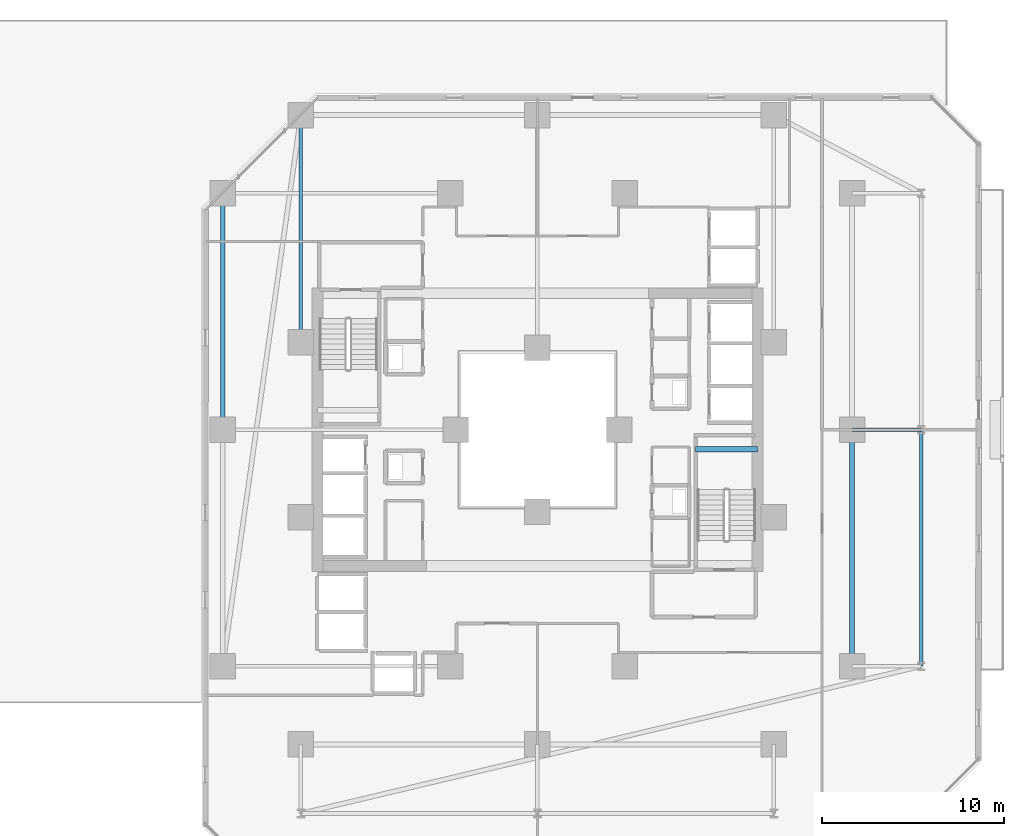
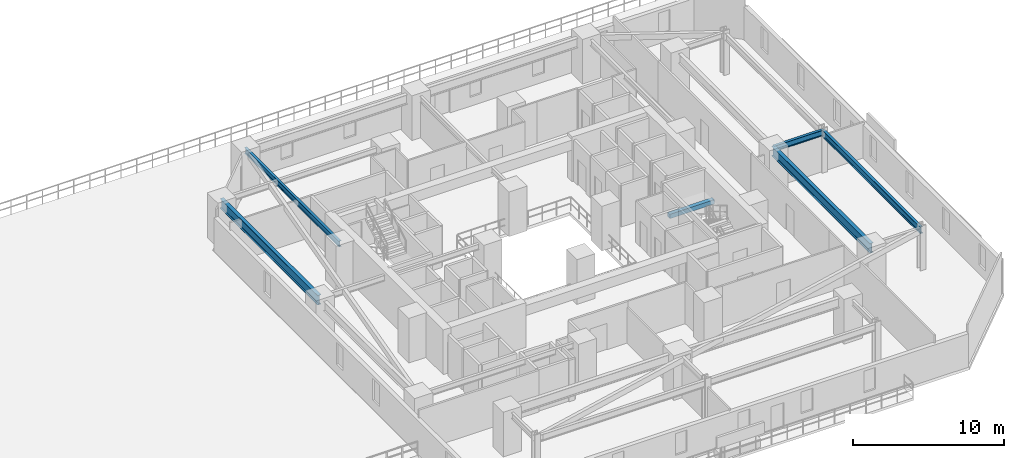
# One storey, part 13 of 34: 6 beams.
"""IFC4 building model written with IfcOpenShell, lengths in metres."""

from ifc_helpers import new_model, si_unit, direction, frame, origin, origin_2d, place, context, subcontext, project, spatial, rectangle, i_section, extrude, material, material_profile, profile_set, type_object, element, save


model = new_model("IFC4")

# Units and contexts
model_context = context("Model", 3, precision=1e-05, world=origin(), true_north=direction((0.0, 1.0)))
body_context = subcontext(model_context, "Body", "Model", "MODEL_VIEW")
ifc_project = project(units=[si_unit("LENGTHUNIT", "METRE"), si_unit("AREAUNIT", "SQUARE_METRE"), si_unit("VOLUMEUNIT", "CUBIC_METRE"), si_unit("PLANEANGLEUNIT", "RADIAN"), si_unit("MASSUNIT", "GRAM", prefix="KILO")], contexts=[model_context])

# Site, building, storey
site_placement = place(None, origin())
site = spatial("IfcSite", under=ifc_project, at=site_placement, CompositionType="ELEMENT")
building_placement = place(site_placement, origin())
building = spatial("IfcBuilding", under=site, at=building_placement, Name="Thornwick Lancets Civic Towers", CompositionType="ELEMENT")
storey_placement = place(building_placement, frame((0.0, 0.0, 27.89990234375)))
storey = spatial("IfcBuildingStorey", under=building, at=storey_placement, Name="L06", CompositionType="ELEMENT", Elevation=27.89990234375)

# Beams
ifc_material_1 = material(Name="Steel S355JR", Category="steel")
ifc_material_profile_1 = material_profile(ifc_material_1, i_section(OverallWidth=0.2119140625, OverallDepth=0.54443359375, WebThickness=0.0126953125, FlangeThickness=0.021240234375, FilletRadius=0.0126953125, at=origin_2d()), Name="UKB 533x210x122")
ifc_profile_set_1 = profile_set([ifc_material_profile_1], Name="Steel S355JR")
beam_type_1 = type_object("IfcBeamType", Name="BM_EDGE_533_122", PredefinedType="SPANDREL", material=ifc_profile_set_1)
beam_1_placement = place(storey_placement, frame((109.60009765625, 14.0, 3.087890625), z_axis=(0.0, 1.0, 0.0), x_axis=(-1.0, 0.0, 0.0)))
element("IfcBeam", 1, at=beam_1_placement, inside=storey, type_object=beam_type_1, Name="BM-EDGE-L06-B-S0-1", PredefinedType="SPANDREL", context=body_context, shape_type="SweptSolid", body=[
    extrude(i_section(OverallWidth=0.2119140625, OverallDepth=0.54443359375, WebThickness=0.0126953125, FlangeThickness=0.021240234375, FilletRadius=0.0126953125, at=origin_2d()), origin(), (0.0, 0.0, 1.0), 13.0),
])
ifc_material_profile_2 = material_profile(ifc_material_1, i_section(OverallWidth=0.26806640625, OverallDepth=0.769775390625, WebThickness=0.015625, FlangeThickness=0.025390625, FilletRadius=0.0166015625, at=origin_2d()), Name="UKB 762x267x197")
ifc_profile_set_2 = profile_set([ifc_material_profile_2], Name="Steel S355JR")
beam_type_2 = type_object("IfcBeamType", Name="BM_GIRD_762_197", PredefinedType="BEAM", material=ifc_profile_set_2)
beam_2_placement = place(storey_placement, frame((105.800048828125, 14.0, 2.97509765625), z_axis=(0.0, 1.0, 0.0), x_axis=(-1.0, 0.0, 0.0)))
element("IfcBeam", 2, at=beam_2_placement, inside=storey, type_object=beam_type_2, Name="BM-SPINE-L06-B-0-1", PredefinedType="BEAM", context=body_context, shape_type="SweptSolid", body=[
    extrude(i_section(OverallWidth=0.26806640625, OverallDepth=0.769775390625, WebThickness=0.015625, FlangeThickness=0.025390625, FilletRadius=0.0166015625, at=origin_2d()), origin(), (0.0, 0.0, 1.0), 13.0),
])
beam_3_placement = place(storey_placement, frame((71.199951171875, 27.080078125, 2.97509765625), z_axis=(0.0, 1.0, 0.0), x_axis=(-1.0, 0.0, 0.0)))
element("IfcBeam", 3, at=beam_3_placement, inside=storey, type_object=beam_type_2, Name="BM-SPINE-L06-B-7-8", PredefinedType="BEAM", context=body_context, shape_type="SweptSolid", body=[
    extrude(i_section(OverallWidth=0.26806640625, OverallDepth=0.769775390625, WebThickness=0.015625, FlangeThickness=0.025390625, FilletRadius=0.0166015625, at=origin_2d()), origin(), (0.0, 0.0, 1.0), 12.919921875),
])
ifc_material_profile_3 = material_profile(ifc_material_1, i_section(OverallWidth=0.19287109375, OverallDepth=0.46728515625, WebThickness=0.011474609375, FlangeThickness=0.01953125, FilletRadius=0.01025390625, at=origin_2d()), Name="UKB 457x191x98")
ifc_profile_set_3 = profile_set([ifc_material_profile_3], Name="Steel S355JR")
beam_type_3 = type_object("IfcBeamType", Name="BM_JOIST_457_98", PredefinedType="JOIST", material=ifc_profile_set_3)
beam_4_placement = place(storey_placement, frame((105.800048828125, 27.0, 3.12646484375), z_axis=(1.0, 0.0, 0.0), x_axis=(0.0, 1.0, 0.0)))
element("IfcBeam", 4, at=beam_4_placement, inside=storey, type_object=beam_type_3, Name="BM-RAD-L06-B02", PredefinedType="JOIST", context=body_context, shape_type="SweptSolid", body=[
    extrude(i_section(OverallWidth=0.19287109375, OverallDepth=0.46728515625, WebThickness=0.011474609375, FlangeThickness=0.01953125, FilletRadius=0.01025390625, at=origin_2d()), origin(), (0.0, 0.0, 1.0), 3.800048828125),
])
beam_5_placement = place(storey_placement, frame((75.5, 31.800048828125, 3.12646484375), z_axis=(0.0, 1.0, 0.0), x_axis=(-1.0, 0.0, 0.0)))
element("IfcBeam", 5, at=beam_5_placement, inside=storey, type_object=beam_type_3, Name="BM-RADIN-L06-B06", PredefinedType="JOIST", context=body_context, shape_type="SweptSolid", body=[
    extrude(i_section(OverallWidth=0.19287109375, OverallDepth=0.46728515625, WebThickness=0.011474609375, FlangeThickness=0.01953125, FilletRadius=0.01025390625, at=origin_2d()), origin(), (0.0, 0.0, 1.0), 12.5),
])
ifc_material_2 = material(Name="Concrete C40/50", Category="concrete")
ifc_material_profile_4 = material_profile(ifc_material_2, rectangle(XDim=0.300048828125, YDim=0.35009765625, at=origin_2d()), Name="RC 300x350")
ifc_profile_set_4 = profile_set([ifc_material_profile_4], Name="Concrete C40/50")
beam_type_4 = type_object("IfcBeamType", Name="BM_STAIR_LDG", PredefinedType="BEAM", material=ifc_profile_set_4)
beam_6_placement = place(storey_placement, frame((100.60009765625, 25.93505859375, 1.378173828125), z_axis=(-1.0, 0.0, 0.0), x_axis=(0.0, -1.0, 0.0)))
element("IfcBeam", 6, at=beam_6_placement, inside=storey, type_object=beam_type_4, Name="L06 ST-B1 Landing Support Beam 1", PredefinedType="BEAM", context=body_context, shape_type="SweptSolid", body=[
    extrude(rectangle(XDim=0.300048828125, YDim=0.35009765625, at=origin_2d()), origin(), (0.0, 0.0, 1.0), 3.400146484375),
])

save(model, "model.ifc")
